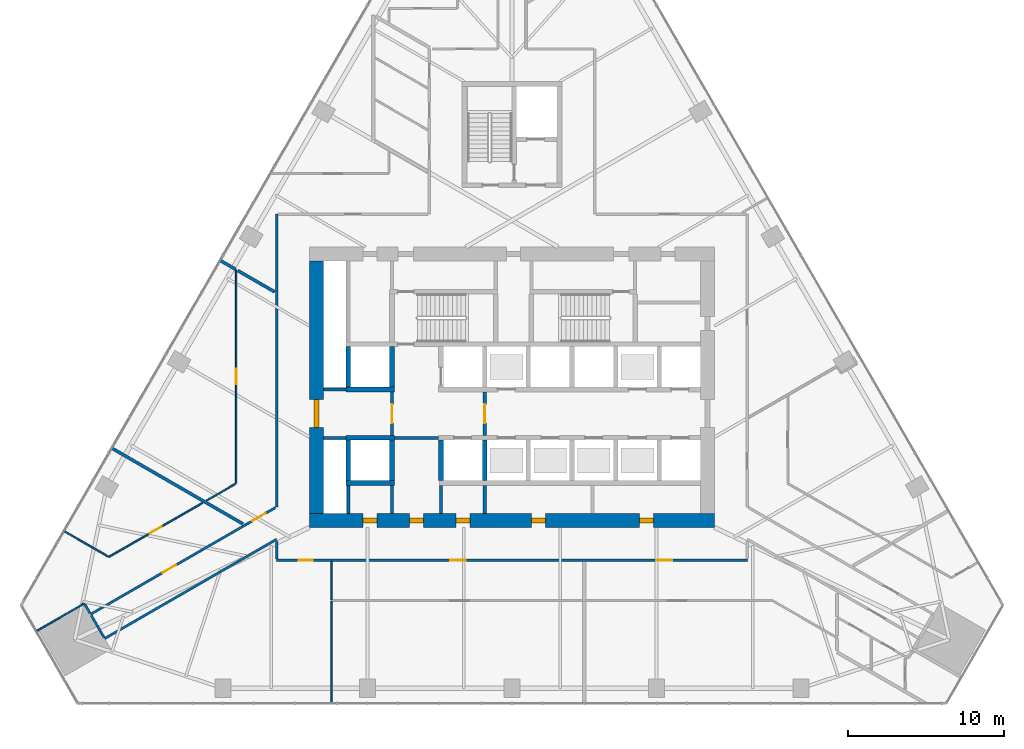
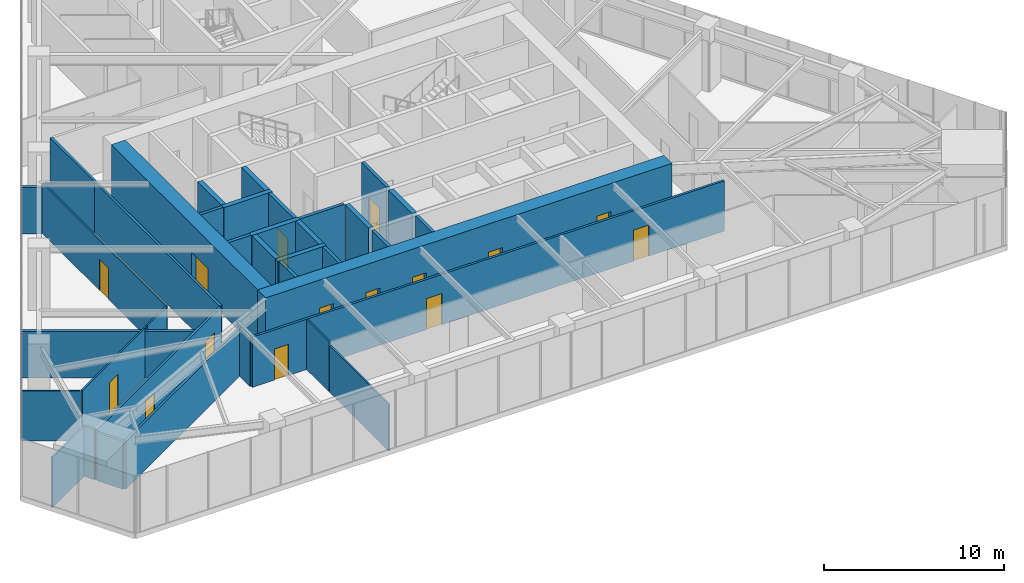
# One storey, part 16 of 22: 37 walls, 15 doors, 15 openings.
"""IFC4 building model written with IfcOpenShell, lengths in metres."""

from ifc_helpers import new_model, si_unit, direction, frame, frame_2d, origin, place, context, subcontext, project, spatial, rectangle, extrude, material, layer, layer_set, type_object, element, fill, save


model = new_model("IFC4")

# Units and contexts
model_context = context("Model", 3, precision=1e-05, world=origin(), true_north=direction((0.0, 1.0)))
body_context = subcontext(model_context, "Body", "Model", "MODEL_VIEW")
ifc_project = project(units=[si_unit("LENGTHUNIT", "METRE"), si_unit("AREAUNIT", "SQUARE_METRE"), si_unit("VOLUMEUNIT", "CUBIC_METRE"), si_unit("PLANEANGLEUNIT", "RADIAN"), si_unit("MASSUNIT", "GRAM", prefix="KILO")], contexts=[model_context])

# Site, building, storey
site_placement = place(None, origin())
site = spatial("IfcSite", under=ifc_project, at=site_placement, CompositionType="ELEMENT")
building_placement = place(site_placement, origin())
building = spatial("IfcBuilding", under=site, at=building_placement, Name="Firuza Gate Tower and Library", CompositionType="ELEMENT")
storey_placement = place(building_placement, frame((0.0, 0.0, 128.199951171875)))
storey = spatial("IfcBuildingStorey", under=building, at=storey_placement, Name="L29", CompositionType="ELEMENT", Elevation=128.199951171875)

# Walls
ifc_material_1 = material(Name="Plasterboard on steel studs", Category="steel")
ifc_layer_1 = layer(ifc_material_1, 0.199951171875)
ifc_layer_set_1 = layer_set([ifc_layer_1], Name="Core partition 200 EI 120")
wall_type_1 = type_object("IfcWallType", Name="Core partition 200 EI 120", PredefinedType="PARTITIONING", material=ifc_layer_set_1)
wall_1_placement = place(storey_placement, frame((62.89990234375, 71.75, 0.0), z_axis=(0.0, 0.0, 1.0), x_axis=(1.0, 0.0, 0.0)))
element("IfcWall", 1, at=wall_1_placement, inside=storey, type_object=wall_type_1, Name="Core partition L29 1", PredefinedType="PARTITIONING", context=body_context, shape_type="SweptSolid", body=[
    extrude(rectangle(XDim=1.4501953125, YDim=0.199951171875, at=frame_2d((0.72509765625, 0.0))), origin(), (0.0, 0.0, 1.0), 4.0),
])
wall_2_placement = place(storey_placement, frame((67.449951171875, 71.75, 0.0), z_axis=(0.0, 0.0, 1.0), x_axis=(1.0, 0.0, 0.0)))
element("IfcWall", 2, at=wall_2_placement, inside=storey, type_object=wall_type_1, Name="Core partition L29 2", PredefinedType="PARTITIONING", context=body_context, shape_type="SweptSolid", body=[
    extrude(rectangle(XDim=2.85009765625, YDim=0.199951171875, at=frame_2d((1.425048828125, 0.0))), origin(), (0.0, 0.0, 1.0), 4.0),
])
wall_3_placement = place(storey_placement, frame((62.89990234375, 74.85009765625, 0.0), z_axis=(0.0, 0.0, 1.0), x_axis=(1.0, 0.0, 0.0)))
element("IfcWall", 3, at=wall_3_placement, inside=storey, type_object=wall_type_1, Name="Core partition L29 3", PredefinedType="PARTITIONING", context=body_context, shape_type="SweptSolid", body=[
    extrude(rectangle(XDim=1.4501953125, YDim=0.199951171875, at=frame_2d((0.72509765625, 0.0))), origin(), (0.0, 0.0, 1.0), 4.0),
])
for number, where, z_axis, x_axis, name in (
    (4, (64.5, 66.89990234375, 0.0), (0.0, 0.0, 1.0), (0.0, 1.0, 0.0), "Core partition L29 5"),
    (5, (67.300048828125, 66.89990234375, 0.0), (0.0, 0.0, 1.0), (0.0, 1.0, 0.0), "Core partition L29 7"),
    (6, (70.449951171875, 66.89990234375, 0.0), (0.0, 0.0, 1.0), (0.0, 1.0, 0.0), "Core partition L29 10"),
    (7, (73.25, 66.89990234375, 0.0), (0.0, 0.0, 1.0), (0.0, 1.0, 0.0), "Core partition L29 11"),
):
    element("IfcWall", number, at=place(storey_placement, frame(where, z_axis=z_axis, x_axis=x_axis)), inside=storey, type_object=wall_type_1, Name=name, PredefinedType="PARTITIONING", context=body_context, shape_type="SweptSolid", body=[
        extrude(rectangle(XDim=1.800048828125, YDim=0.199951171875, at=frame_2d((0.89990234375, 0.0))), origin(), (0.0, 0.0, 1.0), 4.0),
    ])

# Wall, opening, door
ifc_material_2 = material(Name="Plasterboard on steel studs", Category="steel")
ifc_layer_2 = layer(ifc_material_2, 0.199951171875)
ifc_layer_set_2 = layer_set([ifc_layer_2], Name="Core partition 200 EI 60")
wall_type_2 = type_object("IfcWallType", Name="Core partition 200 EI 60", PredefinedType="PARTITIONING", material=ifc_layer_set_2)
wall_4_placement = place(storey_placement, frame((67.300048828125, 71.89990234375, 0.0), z_axis=(0.0, 0.0, 1.0), x_axis=(0.0, 1.0, 0.0)))
wall_4 = element("IfcWall", 8, at=wall_4_placement, inside=storey, type_object=wall_type_2, Name="Core partition L29 8", PredefinedType="PARTITIONING", context=body_context, shape_type="SweptSolid", body=[
    extrude(rectangle(XDim=2.800048828125, YDim=0.199951171875, at=frame_2d((1.39990234375, 0.0))), origin(), (0.0, 0.0, 1.0), 4.0),
])
opening_1_placement = place(wall_4_placement, frame((0.800048828125, 0.0, 0.0)))
opening_1 = element("IfcOpeningElement", 9, at=opening_1_placement, cuts=wall_4, Name="Opening L29-K21", PredefinedType="OPENING", context=body_context, shape_type="SweptSolid", body=[
    extrude(rectangle(XDim=1.199951171875, YDim=2.10009765625, at=frame_2d((0.60009765625, 1.050048828125))), frame((0.0, 0.10986328125, 0.0), z_axis=(0.0, -1.0, 0.0), x_axis=(1.0, 0.0, 0.0)), (0.0, 0.0, 1.0), 0.219970703125),
])
ifc_material_3 = material(Name="Steel", Category="steel")
door_type_1 = type_object("IfcDoorType", Name="Fire door 1200x2100 FD90S", OperationType="NOTDEFINED", PredefinedType="DOOR", material=ifc_material_3)
door_1_placement = place(opening_1_placement, origin())
door_1 = element("IfcDoor", 10, at=door_1_placement, inside=storey, type_object=door_type_1, Name="Door L29-K21", OperationType="SINGLE_SWING_RIGHT", OverallHeight=2.10009765625, OverallWidth=1.199951171875, PredefinedType="DOOR", context=body_context, shape_type="SweptSolid", body=[
    extrude(rectangle(XDim=1.199951171875, YDim=2.10009765625, at=frame_2d((0.60009765625, 1.050048828125))), frame((0.0, 0.02490234375, 0.0), z_axis=(0.0, -1.0, 0.0), x_axis=(1.0, 0.0, 0.0)), (0.0, 0.0, 1.0), 0.050048828125),
])
fill(opening_1, door_1)

wall_5_placement = place(storey_placement, frame((73.25, 71.89990234375, 0.0), z_axis=(0.0, 0.0, 1.0), x_axis=(0.0, 1.0, 0.0)))
wall_5 = element("IfcWall", 11, at=wall_5_placement, inside=storey, type_object=wall_type_2, Name="Core partition L29 12", PredefinedType="PARTITIONING", context=body_context, shape_type="SweptSolid", body=[
    extrude(rectangle(XDim=2.800048828125, YDim=0.199951171875, at=frame_2d((1.39990234375, 0.0))), origin(), (0.0, 0.0, 1.0), 4.0),
])
opening_2_placement = place(wall_5_placement, frame((0.800048828125, 0.0, 0.0)))
opening_2 = element("IfcOpeningElement", 12, at=opening_2_placement, cuts=wall_5, Name="Opening L29-K20", PredefinedType="OPENING", context=body_context, shape_type="SweptSolid", body=[
    extrude(rectangle(XDim=1.199951171875, YDim=2.10009765625, at=frame_2d((0.60009765625, 1.050048828125))), frame((0.0, 0.10986328125, 0.0), z_axis=(0.0, -1.0, 0.0), x_axis=(1.0, 0.0, 0.0)), (0.0, 0.0, 1.0), 0.219970703125),
])
door_2_placement = place(opening_2_placement, origin())
door_2 = element("IfcDoor", 13, at=door_2_placement, inside=storey, type_object=door_type_1, Name="Door L29-K20", OperationType="SINGLE_SWING_LEFT", OverallHeight=2.10009765625, OverallWidth=1.199951171875, PredefinedType="DOOR", context=body_context, shape_type="SweptSolid", body=[
    extrude(rectangle(XDim=1.199951171875, YDim=2.10009765625, at=frame_2d((0.60009765625, 1.050048828125))), frame((0.0, 0.02490234375, 0.0), z_axis=(0.0, -1.0, 0.0), x_axis=(1.0, 0.0, 0.0)), (0.0, 0.0, 1.0), 0.050048828125),
])
fill(opening_2, door_2)

# Walls
ifc_material_4 = material(Name="Concrete C80/95", Category="concrete")
ifc_layer_3 = layer(ifc_material_4, 0.300048828125)
ifc_layer_set_3 = layer_set([ifc_layer_3], Name="Core wall 300 C80/95")
wall_type_3 = type_object("IfcWallType", Name="Core wall 300 C80/95", PredefinedType="SHEAR", material=ifc_layer_set_3)
for number, where, z_axis, x_axis, name in (
    (14, (64.35009765625, 68.85009765625, 0.0), (0.0, 0.0, 1.0), (1.0, 0.0, 0.0), "Core wall L29 5"),
    (15, (64.35009765625, 71.75, 0.0), (0.0, 0.0, 1.0), (1.0, 0.0, 0.0), "Core wall L29 7"),
    (16, (64.35009765625, 74.85009765625, 0.0), (0.0, 0.0, 1.0), (1.0, 0.0, 0.0), "Core wall L29 9"),
):
    element("IfcWall", number, at=place(storey_placement, frame(where, z_axis=z_axis, x_axis=x_axis)), inside=storey, type_object=wall_type_3, Name=name, PredefinedType="SHEAR", context=body_context, shape_type="SweptSolid", body=[
        extrude(rectangle(XDim=3.099853515625, YDim=0.300048828125, at=frame_2d((1.5498046875, 0.0))), origin(), (0.0, 0.0, 1.0), 4.0),
    ])
for number, where, z_axis, x_axis, name in (
    (17, (64.5, 69.0, 0.0), (0.0, 0.0, 1.0), (0.0, 1.0, 0.0), "Core wall L29 11"),
    (18, (64.5, 75.0, 0.0), (0.0, 0.0, 1.0), (0.0, 1.0, 0.0), "Core wall L29 12"),
    (19, (67.300048828125, 69.0, 0.0), (0.0, 0.0, 1.0), (0.0, 1.0, 0.0), "Core wall L29 13"),
    (20, (67.300048828125, 75.0, 0.0), (0.0, 0.0, 1.0), (0.0, 1.0, 0.0), "Core wall L29 14"),
    (21, (70.449951171875, 69.0, 0.0), (0.0, 0.0, 1.0), (0.0, 1.0, 0.0), "Core wall L29 15"),
    (22, (73.25, 69.0, 0.0), (0.0, 0.0, 1.0), (0.0, 1.0, 0.0), "Core wall L29 17"),
):
    element("IfcWall", number, at=place(storey_placement, frame(where, z_axis=z_axis, x_axis=x_axis)), inside=storey, type_object=wall_type_3, Name=name, PredefinedType="SHEAR", context=body_context, shape_type="SweptSolid", body=[
        extrude(rectangle(XDim=2.60009765625, YDim=0.300048828125, at=frame_2d((1.300048828125, 0.0))), origin(), (0.0, 0.0, 1.0), 4.0),
    ])

# Wall, openings, doors
ifc_material_5 = material(Name="Concrete C80/95", Category="concrete")
ifc_layer_4 = layer(ifc_material_5, 0.89990234375)
ifc_layer_set_4 = layer_set([ifc_layer_4], Name="Core wall 900 C80/95")
wall_type_4 = type_object("IfcWallType", Name="Core wall 900 C80/95", PredefinedType="SHEAR", material=ifc_layer_set_4)
wall_6_placement = place(storey_placement, frame((62.0, 66.449951171875, 0.0), z_axis=(0.0, 0.0, 1.0), x_axis=(1.0, 0.0, 0.0)))
wall_6 = element("IfcWall", 23, at=wall_6_placement, inside=storey, type_object=wall_type_4, Name="Core wall L29 1", PredefinedType="SHEAR", context=body_context, shape_type="SweptSolid", body=[
    extrude(rectangle(XDim=26.0, YDim=0.89990234375, at=frame_2d((13.0, 0.0))), origin(), (0.0, 0.0, 1.0), 4.0),
])
opening_3_placement = place(wall_6_placement, frame((3.449951171875, 0.0, 0.0)))
opening_3 = element("IfcOpeningElement", 24, at=opening_3_placement, cuts=wall_6, Name="Opening L29-K24", PredefinedType="OPENING", context=body_context, shape_type="SweptSolid", body=[
    extrude(rectangle(XDim=0.89990234375, YDim=2.10009765625, at=frame_2d((0.449951171875, 1.050048828125))), frame((0.0, 0.4599609375, 0.0), z_axis=(0.0, -1.0, 0.0), x_axis=(1.0, 0.0, 0.0)), (0.0, 0.0, 1.0), 0.919921875),
])
opening_4_placement = place(wall_6_placement, frame((6.425048828125, 0.0, 0.0)))
opening_4 = element("IfcOpeningElement", 25, at=opening_4_placement, cuts=wall_6, Name="Opening L29-K25", PredefinedType="OPENING", context=body_context, shape_type="SweptSolid", body=[
    extrude(rectangle(XDim=0.89990234375, YDim=2.10009765625, at=frame_2d((0.449951171875, 1.050048828125))), frame((0.0, 0.4599609375, 0.0), z_axis=(0.0, -1.0, 0.0), x_axis=(1.0, 0.0, 0.0)), (0.0, 0.0, 1.0), 0.919921875),
])
opening_5_placement = place(wall_6_placement, frame((9.39990234375, 0.0, 0.0)))
opening_5 = element("IfcOpeningElement", 26, at=opening_5_placement, cuts=wall_6, Name="Opening L29-K26", PredefinedType="OPENING", context=body_context, shape_type="SweptSolid", body=[
    extrude(rectangle(XDim=0.89990234375, YDim=2.10009765625, at=frame_2d((0.449951171875, 1.050048828125))), frame((0.0, 0.4599609375, 0.0), z_axis=(0.0, -1.0, 0.0), x_axis=(1.0, 0.0, 0.0)), (0.0, 0.0, 1.0), 0.919921875),
])
opening_6_placement = place(wall_6_placement, frame((14.262451171875, 0.0, 0.0)))
opening_6 = element("IfcOpeningElement", 27, at=opening_6_placement, cuts=wall_6, Name="Opening L29-K27", PredefinedType="OPENING", context=body_context, shape_type="SweptSolid", body=[
    extrude(rectangle(XDim=0.89990234375, YDim=2.10009765625, at=frame_2d((0.449951171875, 1.050048828125))), frame((0.0, 0.4599609375, 0.0), z_axis=(0.0, -1.0, 0.0), x_axis=(1.0, 0.0, 0.0)), (0.0, 0.0, 1.0), 0.919921875),
])
opening_7_placement = place(wall_6_placement, frame((21.1875, 0.0, 0.0)))
opening_7 = element("IfcOpeningElement", 28, at=opening_7_placement, cuts=wall_6, Name="Opening L29-K28", PredefinedType="OPENING", context=body_context, shape_type="SweptSolid", body=[
    extrude(rectangle(XDim=0.89990234375, YDim=2.10009765625, at=frame_2d((0.449951171875, 1.050048828125))), frame((0.0, 0.4599609375, 0.0), z_axis=(0.0, -1.0, 0.0), x_axis=(1.0, 0.0, 0.0)), (0.0, 0.0, 1.0), 0.919921875),
])
ifc_material_6 = material(Name="Steel", Category="steel")
door_type_2 = type_object("IfcDoorType", Name="Fire door 900x2100 FD30S", OperationType="NOTDEFINED", PredefinedType="DOOR", material=ifc_material_6)
door_3_placement = place(opening_3_placement, origin())
door_3 = element("IfcDoor", 29, at=door_3_placement, inside=storey, type_object=door_type_2, Name="Door L29-K24", OperationType="SINGLE_SWING_LEFT", OverallHeight=2.10009765625, OverallWidth=0.89990234375, PredefinedType="DOOR", context=body_context, shape_type="SweptSolid", body=[
    extrude(rectangle(XDim=0.89990234375, YDim=2.10009765625, at=frame_2d((0.449951171875, 1.050048828125))), frame((0.0, 0.169921875, 0.0), z_axis=(0.0, -1.0, 0.0), x_axis=(1.0, 0.0, 0.0)), (0.0, 0.0, 1.0), 0.33984375),
])
fill(opening_3, door_3)
door_4_placement = place(opening_4_placement, origin())
door_4 = element("IfcDoor", 30, at=door_4_placement, inside=storey, type_object=door_type_2, Name="Door L29-K25", OperationType="SINGLE_SWING_RIGHT", OverallHeight=2.10009765625, OverallWidth=0.89990234375, PredefinedType="DOOR", context=body_context, shape_type="SweptSolid", body=[
    extrude(rectangle(XDim=0.89990234375, YDim=2.10009765625, at=frame_2d((0.449951171875, 1.050048828125))), frame((0.0, 0.169921875, 0.0), z_axis=(0.0, -1.0, 0.0), x_axis=(1.0, 0.0, 0.0)), (0.0, 0.0, 1.0), 0.33984375),
])
fill(opening_4, door_4)
door_5_placement = place(opening_5_placement, origin())
door_5 = element("IfcDoor", 31, at=door_5_placement, inside=storey, type_object=door_type_2, Name="Door L29-K26", OperationType="SINGLE_SWING_LEFT", OverallHeight=2.10009765625, OverallWidth=0.89990234375, PredefinedType="DOOR", context=body_context, shape_type="SweptSolid", body=[
    extrude(rectangle(XDim=0.89990234375, YDim=2.10009765625, at=frame_2d((0.449951171875, 1.050048828125))), frame((0.0, 0.169921875, 0.0), z_axis=(0.0, -1.0, 0.0), x_axis=(1.0, 0.0, 0.0)), (0.0, 0.0, 1.0), 0.33984375),
])
fill(opening_5, door_5)
door_6_placement = place(opening_6_placement, origin())
door_6 = element("IfcDoor", 32, at=door_6_placement, inside=storey, type_object=door_type_2, Name="Door L29-K27", OperationType="SINGLE_SWING_RIGHT", OverallHeight=2.10009765625, OverallWidth=0.89990234375, PredefinedType="DOOR", context=body_context, shape_type="SweptSolid", body=[
    extrude(rectangle(XDim=0.89990234375, YDim=2.10009765625, at=frame_2d((0.449951171875, 1.050048828125))), frame((0.0, 0.169921875, 0.0), z_axis=(0.0, -1.0, 0.0), x_axis=(1.0, 0.0, 0.0)), (0.0, 0.0, 1.0), 0.33984375),
])
fill(opening_6, door_6)
door_7_placement = place(opening_7_placement, origin())
door_7 = element("IfcDoor", 33, at=door_7_placement, inside=storey, type_object=door_type_2, Name="Door L29-K28", OperationType="SINGLE_SWING_LEFT", OverallHeight=2.10009765625, OverallWidth=0.89990234375, PredefinedType="DOOR", context=body_context, shape_type="SweptSolid", body=[
    extrude(rectangle(XDim=0.89990234375, YDim=2.10009765625, at=frame_2d((0.449951171875, 1.050048828125))), frame((0.0, 0.169921875, 0.0), z_axis=(0.0, -1.0, 0.0), x_axis=(1.0, 0.0, 0.0)), (0.0, 0.0, 1.0), 0.33984375),
])
fill(opening_7, door_7)

# Wall, opening, door
wall_7_placement = place(storey_placement, frame((62.449951171875, 66.89990234375, 0.0), z_axis=(0.0, 0.0, 1.0), x_axis=(0.0, 1.0, 0.0)))
wall_7 = element("IfcWall", 34, at=wall_7_placement, inside=storey, type_object=wall_type_4, Name="Core wall L29 3", PredefinedType="SHEAR", context=body_context, shape_type="SweptSolid", body=[
    extrude(rectangle(XDim=16.2001953125, YDim=0.89990234375, at=frame_2d((8.10009765625, 0.0))), origin(), (0.0, 0.0, 1.0), 4.0),
])
opening_8_placement = place(wall_7_placement, frame((5.5, 0.0, 0.0)))
opening_8 = element("IfcOpeningElement", 35, at=opening_8_placement, cuts=wall_7, Name="Opening L29-K22", PredefinedType="OPENING", context=body_context, shape_type="SweptSolid", body=[
    extrude(rectangle(XDim=1.800048828125, YDim=2.10009765625, at=frame_2d((0.89990234375, 1.050048828125))), frame((0.0, 0.4599609375, 0.0), z_axis=(0.0, -1.0, 0.0), x_axis=(1.0, 0.0, 0.0)), (0.0, 0.0, 1.0), 0.919921875),
])
ifc_material_7 = material(Name="Steel", Category="steel")
door_type_3 = type_object("IfcDoorType", Name="Fire door 1800x2100 FD30S", OperationType="NOTDEFINED", PredefinedType="DOOR", material=ifc_material_7)
door_8_placement = place(opening_8_placement, origin())
door_8 = element("IfcDoor", 36, at=door_8_placement, inside=storey, type_object=door_type_3, Name="Door L29-K22", OperationType="SINGLE_SWING_LEFT", OverallHeight=2.10009765625, OverallWidth=1.800048828125, PredefinedType="DOOR", context=body_context, shape_type="SweptSolid", body=[
    extrude(rectangle(XDim=1.800048828125, YDim=2.10009765625, at=frame_2d((0.89990234375, 1.050048828125))), frame((0.0, 0.169921875, 0.0), z_axis=(0.0, -1.0, 0.0), x_axis=(1.0, 0.0, 0.0)), (0.0, 0.0, 1.0), 0.33984375),
])
fill(opening_8, door_8)

# Wall, openings, doors
ifc_material_8 = material(Name="Gypsum board partition")
ifc_layer_5 = layer(ifc_material_8, 0.14990234375)
ifc_layer_set_5 = layer_set([ifc_layer_5], Name="Corridor wall 150 double board on steel studs")
wall_type_5 = type_object("IfcWallType", Name="Corridor wall 150 double board on steel studs", PredefinedType="PARTITIONING", material=ifc_layer_set_5)
wall_8_placement = place(storey_placement, frame((90.10009765625, 63.89990234375, 0.0), z_axis=(0.0, 0.0, 1.0), x_axis=(-1.0, 0.0, 0.0)))
wall_8 = element("IfcWall", 37, at=wall_8_placement, inside=storey, type_object=wall_type_5, Name="f:L29:w001", PredefinedType="PARTITIONING", context=body_context, shape_type="SweptSolid", body=[
    extrude(rectangle(XDim=30.19970703125, YDim=0.14990234375, at=frame_2d((15.099853515625, 0.0))), origin(), (0.0, 0.0, 1.0), 3.400146484375),
])
opening_9_placement = place(wall_8_placement, frame((4.83349609375, 0.0, 0.0)))
opening_9 = element("IfcOpeningElement", 38, at=opening_9_placement, cuts=wall_8, Name="Opening L29-03", PredefinedType="OPENING", context=body_context, shape_type="SweptSolid", body=[
    extrude(rectangle(XDim=1.0, YDim=2.10009765625, at=frame_2d((0.5, 1.050048828125))), frame((0.0, 0.0849609375, 0.0), z_axis=(0.0, -1.0, 0.0), x_axis=(1.0, 0.0, 0.0)), (0.0, 0.0, 1.0), 0.169921875),
])
opening_10_placement = place(wall_8_placement, frame((18.0771484375, 0.0, 0.0)))
opening_10 = element("IfcOpeningElement", 39, at=opening_10_placement, cuts=wall_8, Name="Opening L29-04", PredefinedType="OPENING", context=body_context, shape_type="SweptSolid", body=[
    extrude(rectangle(XDim=1.0, YDim=2.10009765625, at=frame_2d((0.5, 1.050048828125))), frame((0.0, 0.0849609375, 0.0), z_axis=(0.0, -1.0, 0.0), x_axis=(1.0, 0.0, 0.0)), (0.0, 0.0, 1.0), 0.169921875),
])
opening_11_placement = place(wall_8_placement, frame((27.893310546875, 0.0, 0.0)))
opening_11 = element("IfcOpeningElement", 40, at=opening_11_placement, cuts=wall_8, Name="Opening L29-05", PredefinedType="OPENING", context=body_context, shape_type="SweptSolid", body=[
    extrude(rectangle(XDim=0.89990234375, YDim=2.10009765625, at=frame_2d((0.449951171875, 1.050048828125))), frame((0.0, 0.0849609375, 0.0), z_axis=(0.0, -1.0, 0.0), x_axis=(1.0, 0.0, 0.0)), (0.0, 0.0, 1.0), 0.169921875),
])
ifc_material_9 = material(Name="Steel door and timber leaf", Category="steel")
door_type_4 = type_object("IfcDoorType", Name="Fire door 1000 x 2100 steel frame, timber leaf", OperationType="NOTDEFINED", PredefinedType="DOOR", material=ifc_material_9)
door_9_placement = place(opening_9_placement, origin())
door_9 = element("IfcDoor", 41, at=door_9_placement, inside=storey, type_object=door_type_4, Name="f:L29:d003", OperationType="SINGLE_SWING_RIGHT", OverallHeight=2.10009765625, OverallWidth=1.0, PredefinedType="DOOR", context=body_context, shape_type="SweptSolid", body=[
    extrude(rectangle(XDim=1.0, YDim=2.10009765625, at=frame_2d((0.5, 1.050048828125))), frame((0.0, 0.02490234375, 0.0), z_axis=(0.0, -1.0, 0.0), x_axis=(1.0, 0.0, 0.0)), (0.0, 0.0, 1.0), 0.050048828125),
])
fill(opening_9, door_9)
door_10_placement = place(opening_10_placement, origin())
door_10 = element("IfcDoor", 42, at=door_10_placement, inside=storey, type_object=door_type_4, Name="f:L29:d004", OperationType="SINGLE_SWING_RIGHT", OverallHeight=2.10009765625, OverallWidth=1.0, PredefinedType="DOOR", context=body_context, shape_type="SweptSolid", body=[
    extrude(rectangle(XDim=1.0, YDim=2.10009765625, at=frame_2d((0.5, 1.050048828125))), frame((0.0, 0.02490234375, 0.0), z_axis=(0.0, -1.0, 0.0), x_axis=(1.0, 0.0, 0.0)), (0.0, 0.0, 1.0), 0.050048828125),
])
fill(opening_10, door_10)
ifc_material_10 = material(Name="Steel door and timber leaf", Category="steel")
door_type_5 = type_object("IfcDoorType", Name="Fire door 900 x 2100 steel frame, timber leaf", OperationType="NOTDEFINED", PredefinedType="DOOR", material=ifc_material_10)
door_11_placement = place(opening_11_placement, origin())
door_11 = element("IfcDoor", 43, at=door_11_placement, inside=storey, type_object=door_type_5, Name="f:L29:d005", OperationType="SINGLE_SWING_RIGHT", OverallHeight=2.10009765625, OverallWidth=0.89990234375, PredefinedType="DOOR", context=body_context, shape_type="SweptSolid", body=[
    extrude(rectangle(XDim=0.89990234375, YDim=2.10009765625, at=frame_2d((0.449951171875, 1.050048828125))), frame((0.0, 0.02490234375, 0.0), z_axis=(0.0, -1.0, 0.0), x_axis=(1.0, 0.0, 0.0)), (0.0, 0.0, 1.0), 0.050048828125),
])
fill(opening_11, door_11)

# Wall
wall_9_placement = place(storey_placement, frame((48.86474609375, 58.87158203125, 0.0), z_axis=(0.0, 0.0, 1.0), x_axis=(0.866019033468, 0.500011033549, 0.0)))
element("IfcWall", 44, at=wall_9_placement, inside=storey, type_object=wall_type_5, Name="f:L29:w014", PredefinedType="PARTITIONING", context=body_context, shape_type="SweptSolid", body=[
    extrude(rectangle(XDim=12.742431640625, YDim=0.14990234375, at=frame_2d((6.37109375, 0.0))), origin(), (0.0, 0.0, 1.0), 3.2470703125),
])

# Wall, openings, doors
wall_10_placement = place(storey_placement, frame((47.966796875, 60.431640625, 0.0), z_axis=(0.0, 0.0, 1.0), x_axis=(0.866021388453, 0.500006954693, 0.0)))
wall_10 = element("IfcWall", 45, at=wall_10_placement, inside=storey, type_object=wall_type_5, Name="f:L29:w015", PredefinedType="PARTITIONING", context=body_context, shape_type="SweptSolid", body=[
    extrude(rectangle(XDim=13.692626953125, YDim=0.14990234375, at=frame_2d((6.84619140625, 0.0))), origin(), (0.0, 0.0, 1.0), 3.400146484375),
])
opening_12_placement = place(wall_10_placement, frame((5.321044921875, 0.0, 0.0)))
opening_12 = element("IfcOpeningElement", 46, at=opening_12_placement, cuts=wall_10, Name="Opening L29-12", PredefinedType="OPENING", context=body_context, shape_type="SweptSolid", body=[
    extrude(rectangle(XDim=1.0, YDim=2.10009765625, at=frame_2d((0.5, 1.050048828125))), frame((0.0, 0.0849609375, 0.0), z_axis=(0.0, -1.0, 0.0), x_axis=(1.0, 0.0, 0.0)), (0.0, 0.0, 1.0), 0.169921875),
])
opening_13_placement = place(wall_10_placement, frame((11.964111328125, 0.0, 0.0)))
opening_13 = element("IfcOpeningElement", 47, at=opening_13_placement, cuts=wall_10, Name="Opening L29-13", PredefinedType="OPENING", context=body_context, shape_type="SweptSolid", body=[
    extrude(rectangle(XDim=1.0, YDim=2.10009765625, at=frame_2d((0.5, 1.050048828125))), frame((0.0, 0.0849609375, 0.0), z_axis=(0.0, -1.0, 0.0), x_axis=(1.0, 0.0, 0.0)), (0.0, 0.0, 1.0), 0.169921875),
])
door_12_placement = place(opening_12_placement, origin())
door_12 = element("IfcDoor", 48, at=door_12_placement, inside=storey, type_object=door_type_4, Name="f:L29:d012", OperationType="SINGLE_SWING_LEFT", OverallHeight=2.10009765625, OverallWidth=1.0, PredefinedType="DOOR", context=body_context, shape_type="SweptSolid", body=[
    extrude(rectangle(XDim=1.0, YDim=2.10009765625, at=frame_2d((0.5, 1.050048828125))), frame((0.0, 0.02490234375, 0.0), z_axis=(0.0, -1.0, 0.0), x_axis=(1.0, 0.0, 0.0)), (0.0, 0.0, 1.0), 0.050048828125),
])
fill(opening_12, door_12)
door_13_placement = place(opening_13_placement, origin())
door_13 = element("IfcDoor", 49, at=door_13_placement, inside=storey, type_object=door_type_4, Name="f:L29:d013", OperationType="SINGLE_SWING_RIGHT", OverallHeight=2.10009765625, OverallWidth=1.0, PredefinedType="DOOR", context=body_context, shape_type="SweptSolid", body=[
    extrude(rectangle(XDim=1.0, YDim=2.10009765625, at=frame_2d((0.5, 1.050048828125))), frame((0.0, 0.02490234375, 0.0), z_axis=(0.0, -1.0, 0.0), x_axis=(1.0, 0.0, 0.0)), (0.0, 0.0, 1.0), 0.050048828125),
])
fill(opening_13, door_13)

# Walls
wall_11_placement = place(storey_placement, frame((59.89990234375, 63.9755859375, 0.0), z_axis=(0.0, 0.0, 1.0), x_axis=(0.0, 1.0, 0.0)))
element("IfcWall", 50, at=wall_11_placement, inside=storey, type_object=wall_type_5, Name="f:L29:w044", PredefinedType="PARTITIONING", context=body_context, shape_type="SweptSolid", body=[
    extrude(rectangle(XDim=1.130615234375, YDim=0.14990234375, at=frame_2d((0.5654296875, 0.0))), origin(), (0.0, 0.0, 1.0), 3.2470703125),
])
wall_12_placement = place(storey_placement, frame((59.89990234375, 67.3212890625, 0.0), z_axis=(0.0, 0.0, 1.0), x_axis=(0.0, 1.0, 0.0)))
element("IfcWall", 51, at=wall_12_placement, inside=storey, type_object=wall_type_5, Name="f:L29:w045", PredefinedType="PARTITIONING", context=body_context, shape_type="SweptSolid", body=[
    extrude(rectangle(XDim=18.7783203125, YDim=0.14990234375, at=frame_2d((9.38916015625, 0.0))), origin(), (0.0, 0.0, 1.0), 3.400146484375),
])
wall_13_placement = place(storey_placement, frame((48.826171875, 58.9365234375, 0.0), z_axis=(0.0, 0.0, 1.0), x_axis=(-0.499991515992, 0.866030301974, 0.0)))
element("IfcWall", 52, at=wall_13_placement, inside=storey, type_object=wall_type_5, Name="f:L29:w049", PredefinedType="PARTITIONING", context=body_context, shape_type="SweptSolid", body=[
    extrude(rectangle(XDim=1.6494140625, YDim=0.14990234375, at=frame_2d((0.82470703125, 0.0))), origin(), (0.0, 0.0, 1.0), 3.2470703125),
])
wall_14_placement = place(storey_placement, frame((47.926513671875, 60.4951171875, 0.0), z_axis=(0.0, 0.0, 1.0), x_axis=(-0.5000475079, 0.865997973348, 0.0)))
element("IfcWall", 53, at=wall_14_placement, inside=storey, type_object=wall_type_5, Name="f:L29:w067", PredefinedType="PARTITIONING", context=body_context, shape_type="SweptSolid", body=[
    extrude(rectangle(XDim=0.671875, YDim=0.14990234375, at=frame_2d((0.3359375, 0.0))), origin(), (0.0, 0.0, 1.0), 3.400146484375),
])
ifc_material_11 = material(Name="Gypsum board partition")
ifc_layer_6 = layer(ifc_material_11, 0.199951171875)
ifc_layer_set_6 = layer_set([ifc_layer_6], Name="Demising wall 200 acoustic double stud")
wall_type_6 = type_object("IfcWallType", Name="Demising wall 200 acoustic double stud", PredefinedType="PARTITIONING", material=ifc_layer_set_6)
wall_15_placement = place(storey_placement, frame((59.773193359375, 81.11474609375, 0.0), z_axis=(0.0, 0.0, 1.0), x_axis=(-0.86604168154, 0.499971805041, 0.0)))
element("IfcWall", 54, at=wall_15_placement, inside=storey, type_object=wall_type_6, Name="f:L29:w058", PredefinedType="PARTITIONING", context=body_context, shape_type="SweptSolid", body=[
    extrude(rectangle(XDim=2.740478515625, YDim=0.199951171875, at=frame_2d((1.3701171875, 0.0))), origin(), (0.0, 0.0, 1.0), 3.400146484375),
])
wall_16_placement = place(storey_placement, frame((57.746337890625, 66.22412109375, 0.0), z_axis=(0.0, 0.0, 1.0), x_axis=(-0.866017068849, 0.500014436255, 0.0)))
element("IfcWall", 55, at=wall_16_placement, inside=storey, type_object=wall_type_6, Name="f:L29:w062", PredefinedType="PARTITIONING", context=body_context, shape_type="SweptSolid", body=[
    extrude(rectangle(XDim=9.722900390625, YDim=0.199951171875, at=frame_2d((4.861328125, 0.0))), origin(), (0.0, 0.0, 1.0), 3.1650390625),
])
wall_17_placement = place(storey_placement, frame((57.2626953125, 82.564208984375, 0.0), z_axis=(0.0, 0.0, 1.0), x_axis=(-0.8660349869, 0.499983401189, 0.0)))
element("IfcWall", 56, at=wall_17_placement, inside=storey, type_object=wall_type_6, Name="f:L29:w072", PredefinedType="PARTITIONING", context=body_context, shape_type="SweptSolid", body=[
    extrude(rectangle(XDim=1.1337890625, YDim=0.199951171875, at=frame_2d((0.56689453125, 0.0))), origin(), (0.0, 0.0, 1.0), 3.1650390625),
])
ifc_material_12 = material(Name="Gypsum board partition")
ifc_layer_7 = layer(ifc_material_12, 0.10009765625)
ifc_layer_set_7 = layer_set([ifc_layer_7], Name="Partition 100 gypsum board on steel studs")
wall_type_7 = type_object("IfcWallType", Name="Partition 100 gypsum board on steel studs", PredefinedType="PARTITIONING", material=ifc_layer_set_7)
wall_18_placement = place(storey_placement, frame((44.481201171875, 59.343017578125, 0.0), z_axis=(0.0, 0.0, 1.0), x_axis=(0.866008413041, 0.500029427677, 0.0)))
element("IfcWall", 57, at=wall_18_placement, inside=storey, type_object=wall_type_7, Name="f:L29:w016", PredefinedType="PARTITIONING", context=body_context, shape_type="SweptSolid", body=[
    extrude(rectangle(XDim=3.556884765625, YDim=0.10009765625, at=frame_2d((1.7783203125, 0.0))), origin(), (0.0, 0.0, 1.0), 3.400146484375),
])

# Wall, opening, door
wall_19_placement = place(storey_placement, frame((55.14794921875, 67.580078125, 0.0), z_axis=(0.0, 0.0, 1.0), x_axis=(-0.866019333862, -0.500010513267, 0.0)))
wall_19 = element("IfcWall", 58, at=wall_19_placement, inside=storey, type_object=wall_type_7, Name="f:L29:w018", PredefinedType="PARTITIONING", context=body_context, shape_type="SweptSolid", body=[
    extrude(rectangle(XDim=6.945068359375, YDim=0.10009765625, at=frame_2d((3.47265625, 0.0))), origin(), (0.0, 0.0, 1.0), 3.400146484375),
])
opening_14_placement = place(wall_19_placement, frame((3.022705078125, 0.0, 0.0)))
opening_14 = element("IfcOpeningElement", 59, at=opening_14_placement, cuts=wall_19, Name="Opening L29-14", PredefinedType="OPENING", context=body_context, shape_type="SweptSolid", body=[
    extrude(rectangle(XDim=0.89990234375, YDim=2.10009765625, at=frame_2d((0.449951171875, 1.050048828125))), frame((0.0, 0.06005859375, 0.0), z_axis=(0.0, -1.0, 0.0), x_axis=(1.0, 0.0, 0.0)), (0.0, 0.0, 1.0), 0.1201171875),
])
ifc_material_13 = material(Name="Timber door", Category="wood")
door_type_6 = type_object("IfcDoorType", Name="Door 900 x 2100 timber leaf", OperationType="NOTDEFINED", PredefinedType="DOOR", material=ifc_material_13)
door_14_placement = place(opening_14_placement, origin())
door_14 = element("IfcDoor", 60, at=door_14_placement, inside=storey, type_object=door_type_6, Name="f:L29:d014", OperationType="SINGLE_SWING_LEFT", OverallHeight=2.10009765625, OverallWidth=0.89990234375, PredefinedType="DOOR", context=body_context, shape_type="SweptSolid", body=[
    extrude(rectangle(XDim=0.89990234375, YDim=2.10009765625, at=frame_2d((0.449951171875, 1.050048828125))), frame((0.0, 0.02490234375, 0.0), z_axis=(0.0, -1.0, 0.0), x_axis=(1.0, 0.0, 0.0)), (0.0, 0.0, 1.0), 0.050048828125),
])
fill(opening_14, door_14)

# Wall
wall_20_placement = place(storey_placement, frame((63.409912109375, 54.722900390625, 0.0), z_axis=(0.0, 0.0, 1.0), x_axis=(0.0, 1.0, 0.0)))
element("IfcWall", 61, at=wall_20_placement, inside=storey, type_object=wall_type_7, Name="f:L29:w043", PredefinedType="PARTITIONING", context=body_context, shape_type="SweptSolid", body=[
    extrude(rectangle(XDim=6.527099609375, YDim=0.10009765625, at=frame_2d((3.263671875, 0.0))), origin(), (0.0, 0.0, 1.0), 3.1650390625),
])

# Wall, opening, door
wall_21_placement = place(storey_placement, frame((57.300048828125, 82.54248046875, 0.0), z_axis=(0.0, 0.0, 1.0), x_axis=(0.0, -1.0, 0.0)))
wall_21 = element("IfcWall", 62, at=wall_21_placement, inside=storey, type_object=wall_type_7, Name="f:L29:w046", PredefinedType="PARTITIONING", context=body_context, shape_type="SweptSolid", body=[
    extrude(rectangle(XDim=13.72021484375, YDim=0.10009765625, at=frame_2d((6.860107421875, 0.0))), origin(), (0.0, 0.0, 1.0), 3.400146484375),
])
opening_15_placement = place(wall_21_placement, frame((6.360107421875, 0.0, 0.0)))
opening_15 = element("IfcOpeningElement", 63, at=opening_15_placement, cuts=wall_21, Name="Opening L29-26", PredefinedType="OPENING", context=body_context, shape_type="SweptSolid", body=[
    extrude(rectangle(XDim=1.0, YDim=2.10009765625, at=frame_2d((0.5, 1.050048828125))), frame((0.0, 0.06005859375, 0.0), z_axis=(0.0, -1.0, 0.0), x_axis=(1.0, 0.0, 0.0)), (0.0, 0.0, 1.0), 0.1201171875),
])
ifc_material_14 = material(Name="Timber door", Category="wood")
door_type_7 = type_object("IfcDoorType", Name="Door 1000 x 2100 timber leaf", OperationType="NOTDEFINED", PredefinedType="DOOR", material=ifc_material_14)
door_15_placement = place(opening_15_placement, origin())
door_15 = element("IfcDoor", 64, at=door_15_placement, inside=storey, type_object=door_type_7, Name="f:L29:d026", OperationType="SINGLE_SWING_RIGHT", OverallHeight=2.10009765625, OverallWidth=1.0, PredefinedType="DOOR", context=body_context, shape_type="SweptSolid", body=[
    extrude(rectangle(XDim=1.0, YDim=2.10009765625, at=frame_2d((0.5, 1.050048828125))), frame((0.0, 0.02490234375, 0.0), z_axis=(0.0, -1.0, 0.0), x_axis=(1.0, 0.0, 0.0)), (0.0, 0.0, 1.0), 0.050048828125),
])
fill(opening_15, door_15)

# Walls
wall_22_placement = place(storey_placement, frame((49.083251953125, 64.135986328125, 0.0), z_axis=(0.0, 0.0, 1.0), x_axis=(-0.866048593798, 0.499959831567, 0.0)))
element("IfcWall", 65, at=wall_22_placement, inside=storey, type_object=wall_type_7, Name="f:L29:w063", PredefinedType="PARTITIONING", context=body_context, shape_type="SweptSolid", body=[
    extrude(rectangle(XDim=3.264404296875, YDim=0.10009765625, at=frame_2d((1.63232421875, 0.0))), origin(), (0.0, 0.0, 1.0), 3.400146484375),
])
wall_23_placement = place(storey_placement, frame((55.39794921875, 67.724365234375, 0.0), z_axis=(0.0, 0.0, 1.0), x_axis=(0.866063918387, 0.499933284817, 0.0)))
element("IfcWall", 66, at=wall_23_placement, inside=storey, type_object=wall_type_7, Name="f:L29:w068", PredefinedType="PARTITIONING", context=body_context, shape_type="SweptSolid", body=[
    extrude(rectangle(XDim=2.138427734375, YDim=0.10009765625, at=frame_2d((1.0693359375, 0.0))), origin(), (0.0, 0.0, 1.0), 3.400146484375),
])
wall_24_placement = place(storey_placement, frame((63.409912109375, 61.35009765625, 0.0), z_axis=(0.0, 0.0, 1.0), x_axis=(0.0, 1.0, 0.0)))
element("IfcWall", 67, at=wall_24_placement, inside=storey, type_object=wall_type_7, Name="f:L29:w073", PredefinedType="PARTITIONING", context=body_context, shape_type="SweptSolid", body=[
    extrude(rectangle(XDim=2.474853515625, YDim=0.10009765625, at=frame_2d((1.2373046875, 0.0))), origin(), (0.0, 0.0, 1.0), 3.400146484375),
])

save(model, "model.ifc")
